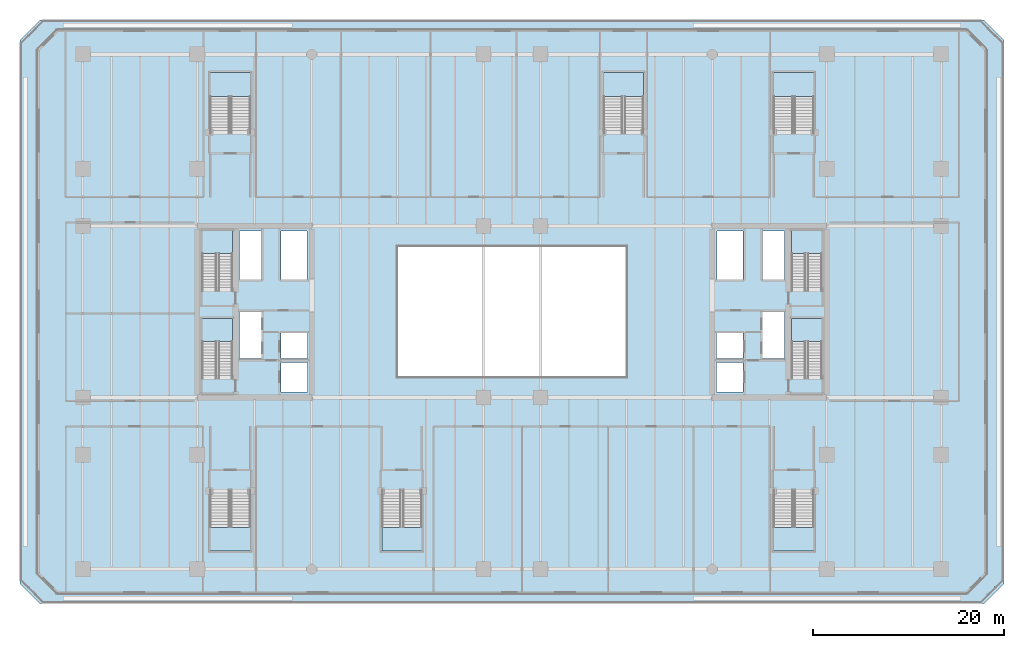
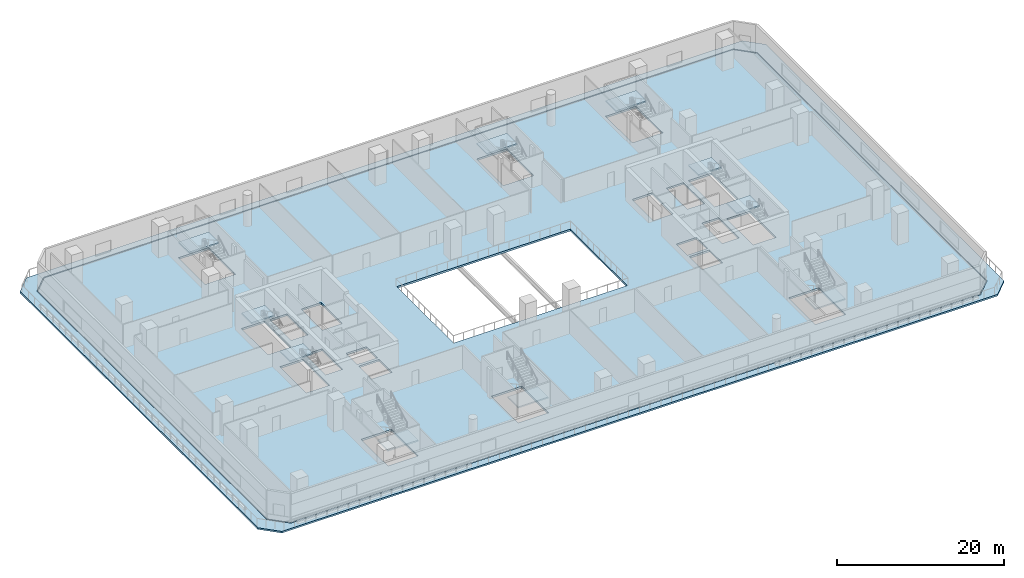
# One storey, part 2 of 27: 12 slabs, 10 elements without a shape of their own.
"""IFC4 building model written with IfcOpenShell, lengths in metres."""

from ifc_helpers import new_model, si_unit, direction, frame, origin, place, context, subcontext, project, spatial, polyline, outline, extrude, material, layer, layer_set, type_object, element, aggregate, save


model = new_model("IFC4")

# Units and contexts
model_context = context("Model", 3, precision=1e-05, world=origin(), true_north=direction((0.0, 1.0)))
body_context = subcontext(model_context, "Body", "Model", "MODEL_VIEW")
ifc_project = project(units=[si_unit("LENGTHUNIT", "METRE"), si_unit("AREAUNIT", "SQUARE_METRE"), si_unit("VOLUMEUNIT", "CUBIC_METRE"), si_unit("PLANEANGLEUNIT", "RADIAN"), si_unit("MASSUNIT", "GRAM", prefix="KILO")], contexts=[model_context])

# Site, building, storey
site_placement = place(None, origin())
site = spatial("IfcSite", under=ifc_project, at=site_placement, CompositionType="ELEMENT")
building_placement = place(site_placement, origin())
building = spatial("IfcBuilding", under=site, at=building_placement, Name="Tanjung Sevakor Pilgrim Tower", CompositionType="ELEMENT")
storey_placement = place(building_placement, frame((0.0, 0.0, 19.469970703125)))
storey = spatial("IfcBuildingStorey", under=building, at=storey_placement, Name="L05", CompositionType="ELEMENT", Elevation=19.469970703125)

# Stair, slab
ifc_material_1 = material(Name="Concrete C40/50", Category="concrete")
stair_type_1 = type_object("IfcStairType", Name="STAIR-ST-CR150", PredefinedType="HALF_TURN_STAIR", material=ifc_material_1)
stair_1_placement = place(storey_placement, origin())
stair_1 = element("IfcStair", 1, at=stair_1_placement, inside=storey, type_object=stair_type_1, Name="L05 West Core Exit Stair 1", PredefinedType="HALF_TURN_STAIR")
ifc_material_2 = material(Name="Concrete C40/50", Category="concrete")
ifc_layer_1 = layer(ifc_material_2, 0.199951171875)
ifc_layer_set_1 = layer_set([ifc_layer_1], Name="SL-LAND-200")
slab_type_1 = type_object("IfcSlabType", Name="SL-LAND-200", PredefinedType="LANDING", material=ifc_layer_set_1)
slab_1_placement = place(storey_placement, frame((0.0, 0.0, 2.110107421875)))
slab_1 = element("IfcSlab", 2, at=slab_1_placement, type_object=slab_type_1, Name="TS-W1 landing 1", PredefinedType="LANDING", context=body_context, shape_type="SweptSolid", body=[
    extrude(outline(polyline([(27.699951171875, 30.5), (27.699951171875, 32.89990234375), (24.5, 32.89990234375), (24.5, 30.5), (27.699951171875, 30.5)])), origin(), (0.0, 0.0, 1.0), 0.199951171875),
])
aggregate(stair_1, [slab_1])

stair_2_placement = place(storey_placement, origin())
stair_2 = element("IfcStair", 3, at=stair_2_placement, inside=storey, type_object=stair_type_1, Name="L05 West Core Exit Stair 2", PredefinedType="HALF_TURN_STAIR")
slab_2_placement = place(storey_placement, frame((0.0, 0.0, 2.110107421875)))
slab_2 = element("IfcSlab", 4, at=slab_2_placement, type_object=slab_type_1, Name="TS-W2 landing 1", PredefinedType="LANDING", context=body_context, shape_type="SweptSolid", body=[
    extrude(outline(polyline([(27.699951171875, 39.699951171875), (27.699951171875, 42.10009765625), (24.5, 42.10009765625), (24.5, 39.699951171875), (27.699951171875, 39.699951171875)])), origin(), (0.0, 0.0, 1.0), 0.199951171875),
])
aggregate(stair_2, [slab_2])

stair_3_placement = place(storey_placement, origin())
stair_3 = element("IfcStair", 5, at=stair_3_placement, inside=storey, type_object=stair_type_1, Name="L05 East Core Exit Stair 1", PredefinedType="HALF_TURN_STAIR")
slab_3_placement = place(storey_placement, frame((0.0, 0.0, 2.110107421875)))
slab_3 = element("IfcSlab", 6, at=slab_3_placement, type_object=slab_type_1, Name="TS-E1 landing 1", PredefinedType="LANDING", context=body_context, shape_type="SweptSolid", body=[
    extrude(outline(polyline([(89.5, 30.5), (89.5, 32.89990234375), (86.300048828125, 32.89990234375), (86.300048828125, 30.5), (89.5, 30.5)])), origin(), (0.0, 0.0, 1.0), 0.199951171875),
])
aggregate(stair_3, [slab_3])

stair_4_placement = place(storey_placement, origin())
stair_4 = element("IfcStair", 7, at=stair_4_placement, inside=storey, type_object=stair_type_1, Name="L05 East Core Exit Stair 2", PredefinedType="HALF_TURN_STAIR")
slab_4_placement = place(storey_placement, frame((0.0, 0.0, 2.110107421875)))
slab_4 = element("IfcSlab", 8, at=slab_4_placement, type_object=slab_type_1, Name="TS-E2 landing 1", PredefinedType="LANDING", context=body_context, shape_type="SweptSolid", body=[
    extrude(outline(polyline([(89.5, 39.699951171875), (89.5, 42.10009765625), (86.300048828125, 42.10009765625), (86.300048828125, 39.699951171875), (89.5, 39.699951171875)])), origin(), (0.0, 0.0, 1.0), 0.199951171875),
])
aggregate(stair_4, [slab_4])

ifc_material_3 = material(Name="Concrete C40/50", Category="concrete")
stair_type_2 = type_object("IfcStairType", Name="STAIR-ST-PD200", PredefinedType="HALF_TURN_STAIR", material=ifc_material_3)
stair_5_placement = place(storey_placement, origin())
stair_5 = element("IfcStair", 9, at=stair_5_placement, inside=storey, type_object=stair_type_2, Name="L05 Podium South-West Assembly Stair", PredefinedType="HALF_TURN_STAIR")
slab_5_placement = place(storey_placement, frame((0.0, 0.0, 2.110107421875)))
slab_5 = element("IfcSlab", 10, at=slab_5_placement, type_object=slab_type_1, Name="PS-1 landing 1", PredefinedType="LANDING", context=body_context, shape_type="SweptSolid", body=[
    extrude(outline(polyline([(25.35009765625, 11.0), (25.35009765625, 8.5), (29.550048828125, 8.5), (29.550048828125, 11.0), (25.35009765625, 11.0)])), origin(), (0.0, 0.0, 1.0), 0.199951171875),
])
aggregate(stair_5, [slab_5])

stair_6_placement = place(storey_placement, origin())
stair_6 = element("IfcStair", 11, at=stair_6_placement, inside=storey, type_object=stair_type_2, Name="L05 Podium North-West Assembly Stair", PredefinedType="HALF_TURN_STAIR")
slab_6_placement = place(storey_placement, frame((0.0, 0.0, 2.110107421875)))
slab_6 = element("IfcSlab", 12, at=slab_6_placement, type_object=slab_type_1, Name="PS-2 landing 1", PredefinedType="LANDING", context=body_context, shape_type="SweptSolid", body=[
    extrude(outline(polyline([(29.550048828125, 56.199951171875), (29.550048828125, 58.699951171875), (25.35009765625, 58.699951171875), (25.35009765625, 56.199951171875), (29.550048828125, 56.199951171875)])), origin(), (0.0, 0.0, 1.0), 0.199951171875),
])
aggregate(stair_6, [slab_6])

stair_7_placement = place(storey_placement, origin())
stair_7 = element("IfcStair", 13, at=stair_7_placement, inside=storey, type_object=stair_type_2, Name="L05 Podium South-Central Assembly Stair", PredefinedType="HALF_TURN_STAIR")
slab_7_placement = place(storey_placement, frame((0.0, 0.0, 2.110107421875)))
slab_7 = element("IfcSlab", 14, at=slab_7_placement, type_object=slab_type_1, Name="PS-3 landing 1", PredefinedType="LANDING", context=body_context, shape_type="SweptSolid", body=[
    extrude(outline(polyline([(43.35009765625, 11.0), (43.35009765625, 8.5), (47.550048828125, 8.5), (47.550048828125, 11.0), (43.35009765625, 11.0)])), origin(), (0.0, 0.0, 1.0), 0.199951171875),
])
aggregate(stair_7, [slab_7])

stair_8_placement = place(storey_placement, origin())
stair_8 = element("IfcStair", 15, at=stair_8_placement, inside=storey, type_object=stair_type_2, Name="L05 Podium North-Central Assembly Stair", PredefinedType="HALF_TURN_STAIR")
slab_8_placement = place(storey_placement, frame((0.0, 0.0, 2.110107421875)))
slab_8 = element("IfcSlab", 16, at=slab_8_placement, type_object=slab_type_1, Name="PS-4 landing 1", PredefinedType="LANDING", context=body_context, shape_type="SweptSolid", body=[
    extrude(outline(polyline([(70.800048828125, 56.199951171875), (70.800048828125, 58.699951171875), (66.60009765625, 58.699951171875), (66.60009765625, 56.199951171875), (70.800048828125, 56.199951171875)])), origin(), (0.0, 0.0, 1.0), 0.199951171875),
])
aggregate(stair_8, [slab_8])

stair_9_placement = place(storey_placement, origin())
stair_9 = element("IfcStair", 17, at=stair_9_placement, inside=storey, type_object=stair_type_2, Name="L05 Podium South-East Assembly Stair", PredefinedType="HALF_TURN_STAIR")
slab_9_placement = place(storey_placement, frame((0.0, 0.0, 2.110107421875)))
slab_9 = element("IfcSlab", 18, at=slab_9_placement, type_object=slab_type_1, Name="PS-5 landing 1", PredefinedType="LANDING", context=body_context, shape_type="SweptSolid", body=[
    extrude(outline(polyline([(84.449951171875, 11.0), (84.449951171875, 8.5), (88.64990234375, 8.5), (88.64990234375, 11.0), (84.449951171875, 11.0)])), origin(), (0.0, 0.0, 1.0), 0.199951171875),
])
aggregate(stair_9, [slab_9])

stair_10_placement = place(storey_placement, origin())
stair_10 = element("IfcStair", 19, at=stair_10_placement, inside=storey, type_object=stair_type_2, Name="L05 Podium North-East Assembly Stair", PredefinedType="HALF_TURN_STAIR")
slab_10_placement = place(storey_placement, frame((0.0, 0.0, 2.110107421875)))
slab_10 = element("IfcSlab", 20, at=slab_10_placement, type_object=slab_type_1, Name="PS-6 landing 1", PredefinedType="LANDING", context=body_context, shape_type="SweptSolid", body=[
    extrude(outline(polyline([(88.64990234375, 56.199951171875), (88.64990234375, 58.699951171875), (84.449951171875, 58.699951171875), (84.449951171875, 56.199951171875), (88.64990234375, 56.199951171875)])), origin(), (0.0, 0.0, 1.0), 0.199951171875),
])
aggregate(stair_10, [slab_10])

# Slabs
ifc_material_4 = material(Name="Concrete C40/50", Category="concrete")
ifc_layer_2 = layer(ifc_material_4, 0.280029296875)
ifc_layer_set_2 = layer_set([ifc_layer_2], Name="SL-POD-280")
slab_type_2 = type_object("IfcSlabType", Name="SL-POD-280", PredefinedType="FLOOR", material=ifc_layer_set_2)
slab_11_placement = place(storey_placement, frame((0.0, 0.0, -0.280029296875)))
element("IfcSlab", 21, at=slab_11_placement, inside=storey, type_object=slab_type_2, Name="L05 Floor Slab MAIN", PredefinedType="FLOOR", context=body_context, shape_type="SweptSolid", body=[
    extrude(outline(polyline([(9.346923828125, 4.080078125), (104.653076171875, 4.080078125), (106.719970703125, 6.14697265625), (106.719970703125, 61.052978515625), (104.653076171875, 63.1201171875), (9.346923828125, 63.1201171875), (7.280029296875, 61.052978515625), (7.280029296875, 6.14697265625), (9.346923828125, 4.080078125)]), holes=[polyline([(27.699951171875, 26.60009765625), (27.699951171875, 32.89990234375), (24.5, 32.89990234375), (24.5, 26.60009765625), (27.699951171875, 26.60009765625)]), polyline([(27.699951171875, 35.800048828125), (27.699951171875, 42.10009765625), (24.5, 42.10009765625), (24.5, 35.800048828125), (27.699951171875, 35.800048828125)]), polyline([(89.5, 26.60009765625), (89.5, 32.89990234375), (86.300048828125, 32.89990234375), (86.300048828125, 26.60009765625), (89.5, 26.60009765625)]), polyline([(89.5, 35.800048828125), (89.5, 42.10009765625), (86.300048828125, 42.10009765625), (86.300048828125, 35.800048828125), (89.5, 35.800048828125)]), polyline([(25.35009765625, 14.89990234375), (25.35009765625, 8.5), (29.550048828125, 8.5), (29.550048828125, 14.89990234375), (25.35009765625, 14.89990234375)]), polyline([(29.550048828125, 52.300048828125), (29.550048828125, 58.699951171875), (25.35009765625, 58.699951171875), (25.35009765625, 52.300048828125), (29.550048828125, 52.300048828125)]), polyline([(43.35009765625, 14.89990234375), (43.35009765625, 8.5), (47.550048828125, 8.5), (47.550048828125, 14.89990234375), (43.35009765625, 14.89990234375)]), polyline([(70.800048828125, 52.300048828125), (70.800048828125, 58.699951171875), (66.60009765625, 58.699951171875), (66.60009765625, 52.300048828125), (70.800048828125, 52.300048828125)]), polyline([(84.449951171875, 14.89990234375), (84.449951171875, 8.5), (88.64990234375, 8.5), (88.64990234375, 14.89990234375), (84.449951171875, 14.89990234375)]), polyline([(88.64990234375, 52.300048828125), (88.64990234375, 58.699951171875), (84.449951171875, 58.699951171875), (84.449951171875, 52.300048828125), (88.64990234375, 52.300048828125)]), polyline([(32.75, 25.199951171875), (35.550048828125, 25.199951171875), (35.550048828125, 28.300048828125), (32.75, 28.300048828125), (32.75, 25.199951171875)]), polyline([(32.75, 28.699951171875), (35.550048828125, 28.699951171875), (35.550048828125, 31.35009765625), (32.75, 31.35009765625), (32.75, 28.699951171875)]), polyline([(28.39990234375, 28.699951171875), (30.75, 28.699951171875), (30.75, 33.60009765625), (28.39990234375, 33.60009765625), (28.39990234375, 28.699951171875)]), polyline([(28.39990234375, 37.0), (30.75, 37.0), (30.75, 42.050048828125), (28.39990234375, 42.050048828125), (28.39990234375, 37.0)]), polyline([(32.75, 37.0), (35.5, 37.0), (35.5, 42.050048828125), (32.75, 42.050048828125), (32.75, 37.0)]), polyline([(78.449951171875, 25.199951171875), (81.25, 25.199951171875), (81.25, 28.300048828125), (78.449951171875, 28.300048828125), (78.449951171875, 25.199951171875)]), polyline([(78.449951171875, 28.699951171875), (81.25, 28.699951171875), (81.25, 31.35009765625), (78.449951171875, 31.35009765625), (78.449951171875, 28.699951171875)]), polyline([(83.25, 28.699951171875), (85.60009765625, 28.699951171875), (85.60009765625, 33.60009765625), (83.25, 33.60009765625), (83.25, 28.699951171875)]), polyline([(83.25, 37.0), (85.60009765625, 37.0), (85.60009765625, 42.050048828125), (83.25, 42.050048828125), (83.25, 37.0)]), polyline([(78.5, 37.0), (81.25, 37.0), (81.25, 42.050048828125), (78.5, 42.050048828125), (78.5, 37.0)]), polyline([(45.0, 26.800048828125), (69.0, 26.800048828125), (69.0, 40.39990234375), (45.0, 40.39990234375), (45.0, 26.800048828125)])]), origin(), (0.0, 0.0, 1.0), 0.280029296875),
])
ifc_material_5 = material(Name="Concrete C40/50", Category="concrete")
ifc_layer_3 = layer(ifc_material_5, 0.239990234375)
ifc_layer_set_3 = layer_set([ifc_layer_3], Name="SL-TER-240")
slab_type_3 = type_object("IfcSlabType", Name="SL-TER-240", PredefinedType="FLOOR", material=ifc_layer_set_3)
slab_12_placement = place(storey_placement, frame((0.0, 0.0, -0.239990234375)))
element("IfcSlab", 22, at=slab_12_placement, inside=storey, type_object=slab_type_3, Name="L05 Cascade Garden Terrace Ring", PredefinedType="FLOOR", context=body_context, shape_type="SweptSolid", body=[
    extrude(outline(polyline([(7.5, 3.0), (106.5, 3.0), (108.60009765625, 5.10009765625), (108.60009765625, 62.10009765625), (106.5, 64.199951171875), (7.5, 64.199951171875), (5.39990234375, 62.10009765625), (5.39990234375, 5.10009765625), (7.5, 3.0)]), holes=[polyline([(9.288330078125, 3.97998046875), (104.711669921875, 3.97998046875), (106.820068359375, 6.08837890625), (106.820068359375, 61.11181640625), (104.711669921875, 63.219970703125), (9.288330078125, 63.219970703125), (7.179931640625, 61.11181640625), (7.179931640625, 6.08837890625), (9.288330078125, 3.97998046875)])]), origin(), (0.0, 0.0, 1.0), 0.239990234375),
])

save(model, "model.ifc")
